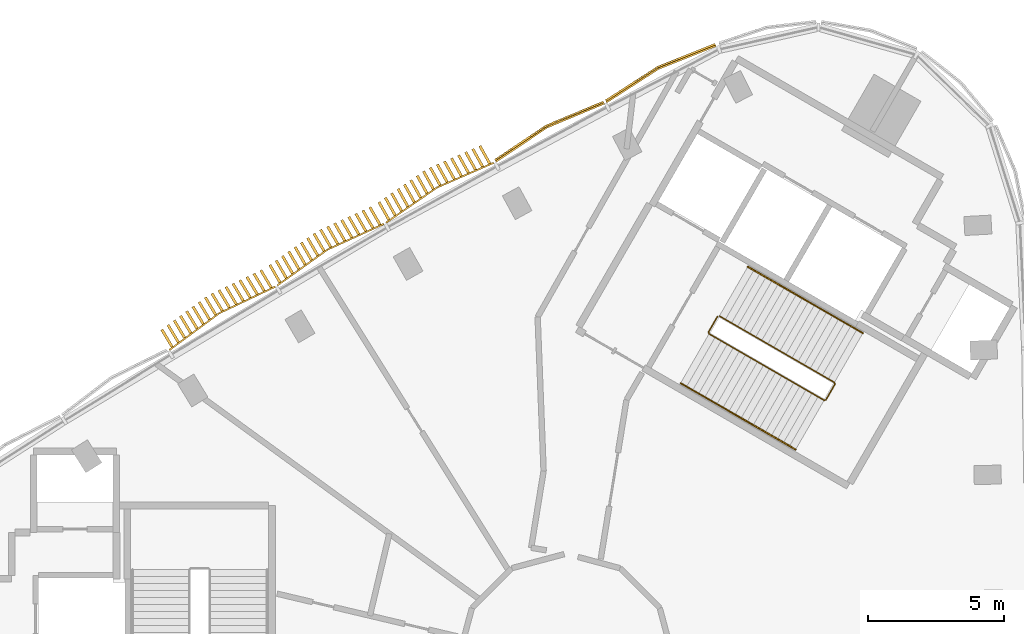
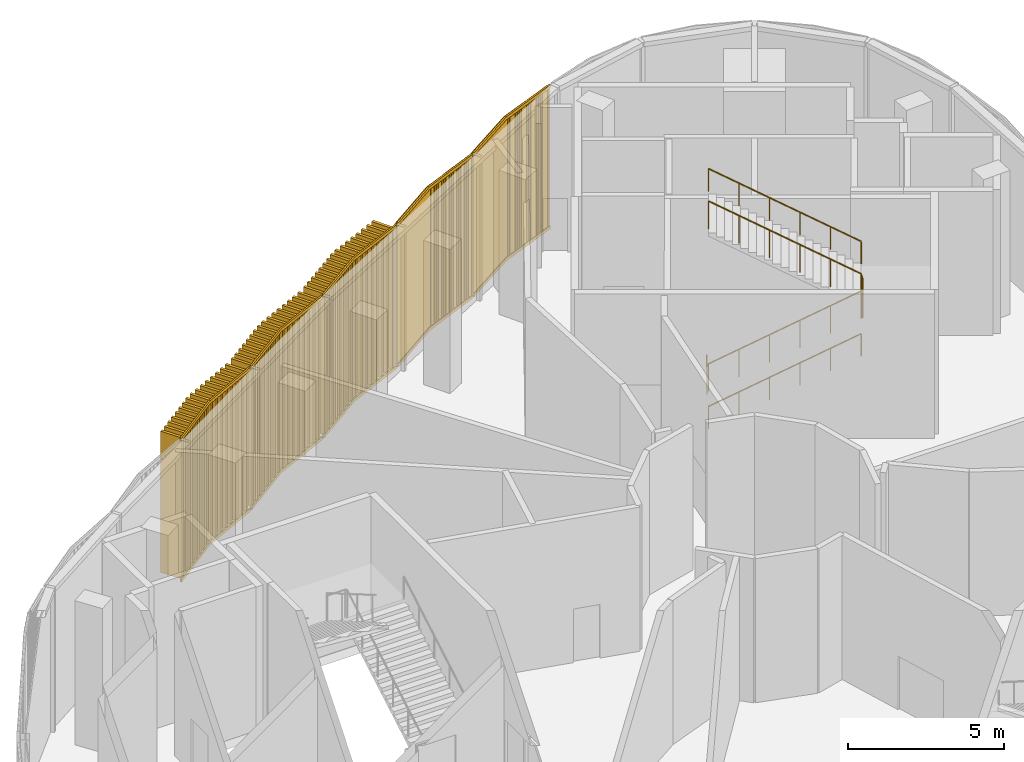
# One storey, part 10 of 11: 5 coverings, 3 railings.
"""IFC4 building model written with IfcOpenShell, lengths in metres."""

from ifc_helpers import new_model, si_unit, direction, frame, frame_2d, origin, origin_2d, place, context, subcontext, project, spatial, rectangle, circle, extrude, source, transform, mapped, material, type_object, element, save


model = new_model("IFC4")

# Units and contexts
model_context = context("Model", 3, precision=1e-05, world=origin(), true_north=direction((0.0, 1.0)))
body_context = subcontext(model_context, "Body", "Model", "MODEL_VIEW")
ifc_project = project(units=[si_unit("LENGTHUNIT", "METRE"), si_unit("AREAUNIT", "SQUARE_METRE"), si_unit("VOLUMEUNIT", "CUBIC_METRE"), si_unit("PLANEANGLEUNIT", "RADIAN"), si_unit("MASSUNIT", "GRAM", prefix="KILO")], contexts=[model_context])

# Site, building, storey
site_placement = place(None, origin())
site = spatial("IfcSite", under=ifc_project, at=site_placement, CompositionType="ELEMENT")
building_placement = place(site_placement, origin())
building = spatial("IfcBuilding", under=site, at=building_placement, Name="Tamra Quay Hotel Tower", CompositionType="ELEMENT")
storey_placement = place(building_placement, frame((0.0, 0.0, 306.60009765625)))
storey = spatial("IfcBuildingStorey", under=building, at=storey_placement, Name="L77", CompositionType="ELEMENT", Elevation=306.60009765625)

# Railings
ifc_material_1 = material(Name="Stair guard 1100")
railing_type_1 = type_object("IfcRailingType", Name="Stair guard 1100", PredefinedType="GUARDRAIL", material=ifc_material_1)
railing_1_placement = place(storey_placement, frame((5.595458984375, 12.751953125, 0.0)))
element("IfcRailing", 1, at=railing_1_placement, inside=storey, type_object=railing_type_1, Name="GR", PredefinedType="GUARDRAIL", context=body_context, shape_type="SweptSolid", body=[
    extrude(circle(Radius=0.02392578125, at=origin_2d()), frame((0.0, 0.0, 1.076171875), z_axis=(-0.499765215335, -0.866160914346, 0.0), x_axis=(0.866160914346, -0.499765215335, 0.0)), (0.0, 0.0, 1.0), 0.658935546875),
    extrude(circle(Radius=0.02392578125, at=origin_2d()), frame((-0.329345703125, -0.57080078125, 1.076171875), z_axis=(0.110525977783, -0.411156637351, 0.904839338113), x_axis=(0.965715946433, 0.259601060869, 0.0)), (0.0, 0.0, 1.0), 0.165771484375),
    extrude(circle(Radius=0.02392578125, at=origin_2d()), frame((-0.31103515625, -0.638916015625, 1.22607421875), z_axis=(0.748658094895, -0.432282451849, 0.502635990327), x_axis=(0.500038605048, 0.866003114002, 0.0)), (0.0, 0.0, 1.0), 5.67041015625),
    extrude(circle(Radius=0.02392578125, at=origin_2d()), frame((3.93408203125, -3.090087890625, 4.076171875), z_axis=(0.965948051503, 0.258736085224, 0.0), x_axis=(-0.258736085224, 0.965948051503, 0.0)), (0.0, 0.0, 1.0), 0.07080078125),
    extrude(circle(Radius=0.02392578125, at=origin_2d()), frame((4.00244140625, -3.07177734375, 4.076171875), z_axis=(0.500043078269, 0.866000531106, 0.0), x_axis=(-0.866000531106, 0.500043078269, 0.0)), (0.0, 0.0, 1.0), 0.6591796875),
    extrude(circle(Radius=0.02392578125, at=origin_2d()), frame((4.33203125, -2.5009765625, 4.076171875), z_axis=(-0.110458949641, 0.41238007866, 0.904290601062), x_axis=(-0.965948051503, -0.258736085224, 0.0)), (0.0, 0.0, 1.0), 0.165771484375),
    extrude(circle(Radius=0.02392578125, at=origin_2d()), frame((4.313720703125, -2.4326171875, 4.22607421875), z_axis=(-0.748690951022, 0.432233507235, 0.50262914269), x_axis=(-0.499979686254, -0.866037131614, 0.0)), (0.0, 0.0, 1.0), 5.67041015625),
    extrude(circle(Radius=0.02099609375, at=origin_2d()), origin(), (0.0, 0.0, 1.0), 1.052001953125),
    extrude(circle(Radius=0.02099609375, at=origin_2d()), frame((-0.329345703125, -0.57080078125, 0.0)), (0.0, 0.0, 1.0), 1.052001953125),
    extrude(circle(Radius=0.02099609375, at=origin_2d()), frame((-0.31103515625, -0.638916015625, 0.14990234375)), (0.0, 0.0, 1.0), 1.052001953125),
    extrude(circle(Radius=0.02099609375, at=origin_2d()), frame((0.5380859375, -1.129150390625, 0.719970703125)), (0.0, 0.0, 1.0), 1.052001953125),
    extrude(circle(Radius=0.02099609375, at=origin_2d()), frame((1.386962890625, -1.619384765625, 1.2900390625)), (0.0, 0.0, 1.0), 1.052001953125),
    extrude(circle(Radius=0.02099609375, at=origin_2d()), frame((2.236083984375, -2.109619140625, 1.85986328125)), (0.0, 0.0, 1.0), 1.052001953125),
    extrude(circle(Radius=0.02099609375, at=origin_2d()), frame((3.0849609375, -2.599853515625, 2.429931640625)), (0.0, 0.0, 1.0), 1.052001953125),
    extrude(circle(Radius=0.02099609375, at=origin_2d()), frame((3.93408203125, -3.090087890625, 3.0)), (0.0, 0.0, 1.0), 1.052001953125),
    extrude(circle(Radius=0.02099609375, at=origin_2d()), frame((4.00244140625, -3.07177734375, 3.0)), (0.0, 0.0, 1.0), 1.052001953125),
    extrude(circle(Radius=0.02099609375, at=origin_2d()), frame((4.33203125, -2.5009765625, 3.0)), (0.0, 0.0, 1.0), 1.052001953125),
    extrude(circle(Radius=0.02099609375, at=origin_2d()), frame((4.313720703125, -2.4326171875, 3.14990234375)), (0.0, 0.0, 1.0), 1.052001953125),
    extrude(circle(Radius=0.02099609375, at=origin_2d()), frame((3.464599609375, -1.9423828125, 3.719970703125)), (0.0, 0.0, 1.0), 1.052001953125),
    extrude(circle(Radius=0.02099609375, at=origin_2d()), frame((2.615478515625, -1.4521484375, 4.2900390625)), (0.0, 0.0, 1.0), 1.052001953125),
    extrude(circle(Radius=0.02099609375, at=origin_2d()), frame((1.7666015625, -0.962158203125, 4.85986328125)), (0.0, 0.0, 1.0), 1.052001953125),
    extrude(circle(Radius=0.02099609375, at=origin_2d()), frame((0.91748046875, -0.471923828125, 5.429931640625)), (0.0, 0.0, 1.0), 1.052001953125),
    extrude(circle(Radius=0.02099609375, at=origin_2d()), frame((0.068359375, 0.018310546875, 6.0)), (0.0, 0.0, 1.0), 1.052001953125),
])
ifc_material_2 = material(Name="Stair handrail 900")
railing_type_2 = type_object("IfcRailingType", Name="Stair handrail 900", PredefinedType="HANDRAIL", material=ifc_material_2)
railing_2_placement = place(storey_placement, frame((4.234375, 10.294189453125, 0.14990234375)))
element("IfcRailing", 2, at=railing_2_placement, inside=storey, type_object=railing_type_2, Name="HR", PredefinedType="HANDRAIL", context=body_context, shape_type="SweptSolid", body=[
    extrude(circle(Radius=0.02392578125, at=origin_2d()), frame((0.0, 0.0, 0.8759765625), z_axis=(0.748672028886, -0.432247440648, 0.502645345365), x_axis=(0.500001252094, 0.866024680886, 0.0)), (0.0, 0.0, 1.0), 5.670166015625),
    extrude(circle(Radius=0.02099609375, at=origin_2d()), origin(), (0.0, 0.0, 1.0), 0.851806640625),
    extrude(circle(Radius=0.02099609375, at=origin_2d()), frame((0.84912109375, -0.490234375, 0.570068359375)), (0.0, 0.0, 1.0), 0.851806640625),
    extrude(circle(Radius=0.02099609375, at=origin_2d()), frame((1.697998046875, -0.98046875, 1.14013671875)), (0.0, 0.0, 1.0), 0.851806640625),
    extrude(circle(Radius=0.02099609375, at=origin_2d()), frame((2.547119140625, -1.470458984375, 1.7099609375)), (0.0, 0.0, 1.0), 0.851806640625),
    extrude(circle(Radius=0.02099609375, at=origin_2d()), frame((3.39599609375, -1.960693359375, 2.280029296875)), (0.0, 0.0, 1.0), 0.851806640625),
    extrude(circle(Radius=0.02099609375, at=origin_2d()), frame((4.2451171875, -2.450927734375, 2.85009765625)), (0.0, 0.0, 1.0), 0.851806640625),
])
railing_3_placement = place(storey_placement, frame((10.958984375, 12.137939453125, 3.14990234375)))
element("IfcRailing", 3, at=railing_3_placement, inside=storey, type_object=railing_type_2, Name="HR", PredefinedType="HANDRAIL", context=body_context, shape_type="SweptSolid", body=[
    extrude(circle(Radius=0.02392578125, at=origin_2d()), frame((0.0, 0.0, 0.8759765625), z_axis=(-0.748672028886, 0.432247440648, 0.502645345365), x_axis=(-0.500001252094, -0.866024680886, 0.0)), (0.0, 0.0, 1.0), 5.670166015625),
    extrude(circle(Radius=0.02099609375, at=origin_2d()), origin(), (0.0, 0.0, 1.0), 0.851806640625),
    extrude(circle(Radius=0.02099609375, at=origin_2d()), frame((-0.84912109375, 0.490234375, 0.570068359375)), (0.0, 0.0, 1.0), 0.851806640625),
    extrude(circle(Radius=0.02099609375, at=origin_2d()), frame((-1.697998046875, 0.98046875, 1.14013671875)), (0.0, 0.0, 1.0), 0.851806640625),
    extrude(circle(Radius=0.02099609375, at=origin_2d()), frame((-2.547119140625, 1.470458984375, 1.7099609375)), (0.0, 0.0, 1.0), 0.851806640625),
    extrude(circle(Radius=0.02099609375, at=origin_2d()), frame((-3.39599609375, 1.960693359375, 2.280029296875)), (0.0, 0.0, 1.0), 0.851806640625),
    extrude(circle(Radius=0.02099609375, at=origin_2d()), frame((-4.2451171875, 2.450927734375, 2.85009765625)), (0.0, 0.0, 1.0), 0.851806640625),
])

# Coverings
ifc_material_3 = material(Name="Terracotta baguette extruded", Category="masonry")
covering_type_1 = type_object("IfcCoveringType", Name="BAGUETTE SCREEN NW-SHALLOW H5650", PredefinedType="USERDEFINED", material=ifc_material_3)
shared_shape_1 = source(origin(), body_context, "Body", "SweptSolid", [
    extrude(rectangle(XDim=2.282958984375, YDim=0.06005859375, at=frame_2d((1.1416015625, 0.030029296875))), frame((-2.2783203125, -0.0576171875, -0.1201171875), z_axis=(0.0, 0.0, 1.0), x_axis=(0.995396198367, -0.09584575252, 0.0)), (0.0, 0.0, 1.0), 0.1201171875),
    extrude(rectangle(XDim=2.282958984375, YDim=0.06005859375, at=frame_2d((1.1416015625, 0.030029296875))), frame((-2.2783203125, -0.0576171875, -5.64990234375), z_axis=(0.0, 0.0, 1.0), x_axis=(0.995396198367, -0.09584575252, 0.0)), (0.0, 0.0, 1.0), 0.1201171875),
    extrude(rectangle(XDim=0.094970703125, YDim=0.10009765625, at=frame_2d((0.04736328125, 0.050048828125))), frame((-2.2705078125, -0.1328125, -5.590087890625)), (0.0, 0.0, 1.0), 5.530029296875),
    extrude(rectangle(XDim=0.094970703125, YDim=0.10009765625, at=frame_2d((0.04736328125, 0.050048828125))), frame((-2.171875, -0.142333984375, -5.590087890625)), (0.0, 0.0, 1.0), 5.530029296875),
    extrude(rectangle(XDim=0.094970703125, YDim=0.10009765625, at=frame_2d((0.04736328125, 0.050048828125))), frame((-2.072998046875, -0.15185546875, -5.590087890625)), (0.0, 0.0, 1.0), 5.530029296875),
    extrude(rectangle(XDim=0.094970703125, YDim=0.10009765625, at=frame_2d((0.04736328125, 0.050048828125))), frame((-1.97412109375, -0.161376953125, -5.590087890625)), (0.0, 0.0, 1.0), 5.530029296875),
    extrude(rectangle(XDim=0.094970703125, YDim=0.10009765625, at=frame_2d((0.04736328125, 0.050048828125))), frame((-1.87548828125, -0.1708984375, -5.590087890625)), (0.0, 0.0, 1.0), 5.530029296875),
    extrude(rectangle(XDim=0.094970703125, YDim=0.10009765625, at=frame_2d((0.04736328125, 0.050048828125))), frame((-1.776611328125, -0.180419921875, -5.590087890625)), (0.0, 0.0, 1.0), 5.530029296875),
    extrude(rectangle(XDim=0.094970703125, YDim=0.10009765625, at=frame_2d((0.04736328125, 0.050048828125))), frame((-1.677734375, -0.18994140625, -5.590087890625)), (0.0, 0.0, 1.0), 5.530029296875),
    extrude(rectangle(XDim=0.094970703125, YDim=0.10009765625, at=frame_2d((0.04736328125, 0.050048828125))), frame((-1.578857421875, -0.199462890625, -5.590087890625)), (0.0, 0.0, 1.0), 5.530029296875),
    extrude(rectangle(XDim=0.094970703125, YDim=0.10009765625, at=frame_2d((0.04736328125, 0.050048828125))), frame((-1.480224609375, -0.208984375, -5.590087890625)), (0.0, 0.0, 1.0), 5.530029296875),
    extrude(rectangle(XDim=0.094970703125, YDim=0.10009765625, at=frame_2d((0.04736328125, 0.050048828125))), frame((-1.38134765625, -0.21826171875, -5.590087890625)), (0.0, 0.0, 1.0), 5.530029296875),
    extrude(rectangle(XDim=0.094970703125, YDim=0.10009765625, at=frame_2d((0.04736328125, 0.050048828125))), frame((-1.282470703125, -0.227783203125, -5.590087890625)), (0.0, 0.0, 1.0), 5.530029296875),
    extrude(rectangle(XDim=0.094970703125, YDim=0.10009765625, at=frame_2d((0.04736328125, 0.050048828125))), frame((-1.183837890625, -0.2373046875, -5.590087890625)), (0.0, 0.0, 1.0), 5.530029296875),
    extrude(rectangle(XDim=0.094970703125, YDim=0.10009765625, at=frame_2d((0.04736328125, 0.050048828125))), frame((-1.0849609375, -0.246826171875, -5.590087890625)), (0.0, 0.0, 1.0), 5.530029296875),
    extrude(rectangle(XDim=0.094970703125, YDim=0.10009765625, at=frame_2d((0.04736328125, 0.050048828125))), frame((-0.986083984375, -0.25634765625, -5.590087890625)), (0.0, 0.0, 1.0), 5.530029296875),
    extrude(rectangle(XDim=0.094970703125, YDim=0.10009765625, at=frame_2d((0.04736328125, 0.050048828125))), frame((-0.887451171875, -0.265869140625, -5.590087890625)), (0.0, 0.0, 1.0), 5.530029296875),
    extrude(rectangle(XDim=0.094970703125, YDim=0.10009765625, at=frame_2d((0.04736328125, 0.050048828125))), frame((-0.78857421875, -0.275390625, -5.590087890625)), (0.0, 0.0, 1.0), 5.530029296875),
    extrude(rectangle(XDim=0.094970703125, YDim=0.10009765625, at=frame_2d((0.04736328125, 0.050048828125))), frame((-0.689697265625, -0.284912109375, -5.590087890625)), (0.0, 0.0, 1.0), 5.530029296875),
    extrude(rectangle(XDim=0.094970703125, YDim=0.10009765625, at=frame_2d((0.04736328125, 0.050048828125))), frame((-0.5908203125, -0.29443359375, -5.590087890625)), (0.0, 0.0, 1.0), 5.530029296875),
    extrude(rectangle(XDim=0.094970703125, YDim=0.10009765625, at=frame_2d((0.04736328125, 0.050048828125))), frame((-0.4921875, -0.303955078125, -5.590087890625)), (0.0, 0.0, 1.0), 5.530029296875),
    extrude(rectangle(XDim=0.094970703125, YDim=0.10009765625, at=frame_2d((0.04736328125, 0.050048828125))), frame((-0.393310546875, -0.3134765625, -5.590087890625)), (0.0, 0.0, 1.0), 5.530029296875),
    extrude(rectangle(XDim=0.094970703125, YDim=0.10009765625, at=frame_2d((0.04736328125, 0.050048828125))), frame((-0.29443359375, -0.322998046875, -5.590087890625)), (0.0, 0.0, 1.0), 5.530029296875),
    extrude(rectangle(XDim=0.094970703125, YDim=0.10009765625, at=frame_2d((0.04736328125, 0.050048828125))), frame((-0.19580078125, -0.33251953125, -5.590087890625)), (0.0, 0.0, 1.0), 5.530029296875),
    extrude(rectangle(XDim=0.094970703125, YDim=0.10009765625, at=frame_2d((0.04736328125, 0.050048828125))), frame((-0.096923828125, -0.342041015625, -5.590087890625)), (0.0, 0.0, 1.0), 5.530029296875),
    extrude(rectangle(XDim=2.282958984375, YDim=0.06005859375, at=frame_2d((1.1416015625, 0.030029296875))), frame((0.005859375, -0.276611328125, -0.1201171875), z_axis=(0.0, 0.0, 1.0), x_axis=(0.995396198367, 0.09584575252, 0.0)), (0.0, 0.0, 1.0), 0.1201171875),
    extrude(rectangle(XDim=2.282958984375, YDim=0.06005859375, at=frame_2d((1.1416015625, 0.030029296875))), frame((0.005859375, -0.276611328125, -5.64990234375), z_axis=(0.0, 0.0, 1.0), x_axis=(0.995396198367, 0.09584575252, 0.0)), (0.0, 0.0, 1.0), 0.1201171875),
    extrude(rectangle(XDim=0.094970703125, YDim=0.10009765625, at=frame_2d((0.04736328125, 0.050048828125))), frame((0.001953125, -0.342041015625, -5.590087890625)), (0.0, 0.0, 1.0), 5.530029296875),
    extrude(rectangle(XDim=0.094970703125, YDim=0.10009765625, at=frame_2d((0.04736328125, 0.050048828125))), frame((0.100830078125, -0.33251953125, -5.590087890625)), (0.0, 0.0, 1.0), 5.530029296875),
    extrude(rectangle(XDim=0.094970703125, YDim=0.10009765625, at=frame_2d((0.04736328125, 0.050048828125))), frame((0.199462890625, -0.322998046875, -5.590087890625)), (0.0, 0.0, 1.0), 5.530029296875),
    extrude(rectangle(XDim=0.094970703125, YDim=0.10009765625, at=frame_2d((0.04736328125, 0.050048828125))), frame((0.29833984375, -0.3134765625, -5.590087890625)), (0.0, 0.0, 1.0), 5.530029296875),
    extrude(rectangle(XDim=0.094970703125, YDim=0.10009765625, at=frame_2d((0.04736328125, 0.050048828125))), frame((0.397216796875, -0.303955078125, -5.590087890625)), (0.0, 0.0, 1.0), 5.530029296875),
    extrude(rectangle(XDim=0.094970703125, YDim=0.10009765625, at=frame_2d((0.04736328125, 0.050048828125))), frame((0.495849609375, -0.29443359375, -5.590087890625)), (0.0, 0.0, 1.0), 5.530029296875),
    extrude(rectangle(XDim=0.094970703125, YDim=0.10009765625, at=frame_2d((0.04736328125, 0.050048828125))), frame((0.5947265625, -0.284912109375, -5.590087890625)), (0.0, 0.0, 1.0), 5.530029296875),
    extrude(rectangle(XDim=0.094970703125, YDim=0.10009765625, at=frame_2d((0.04736328125, 0.050048828125))), frame((0.693603515625, -0.275390625, -5.590087890625)), (0.0, 0.0, 1.0), 5.530029296875),
    extrude(rectangle(XDim=0.094970703125, YDim=0.10009765625, at=frame_2d((0.04736328125, 0.050048828125))), frame((0.792236328125, -0.265869140625, -5.590087890625)), (0.0, 0.0, 1.0), 5.530029296875),
    extrude(rectangle(XDim=0.094970703125, YDim=0.10009765625, at=frame_2d((0.04736328125, 0.050048828125))), frame((0.89111328125, -0.25634765625, -5.590087890625)), (0.0, 0.0, 1.0), 5.530029296875),
    extrude(rectangle(XDim=0.094970703125, YDim=0.10009765625, at=frame_2d((0.04736328125, 0.050048828125))), frame((0.989990234375, -0.246826171875, -5.590087890625)), (0.0, 0.0, 1.0), 5.530029296875),
    extrude(rectangle(XDim=0.094970703125, YDim=0.10009765625, at=frame_2d((0.04736328125, 0.050048828125))), frame((1.0888671875, -0.2373046875, -5.590087890625)), (0.0, 0.0, 1.0), 5.530029296875),
    extrude(rectangle(XDim=0.094970703125, YDim=0.10009765625, at=frame_2d((0.04736328125, 0.050048828125))), frame((1.1875, -0.227783203125, -5.590087890625)), (0.0, 0.0, 1.0), 5.530029296875),
    extrude(rectangle(XDim=0.094970703125, YDim=0.10009765625, at=frame_2d((0.04736328125, 0.050048828125))), frame((1.286376953125, -0.21826171875, -5.590087890625)), (0.0, 0.0, 1.0), 5.530029296875),
    extrude(rectangle(XDim=0.094970703125, YDim=0.10009765625, at=frame_2d((0.04736328125, 0.050048828125))), frame((1.38525390625, -0.208984375, -5.590087890625)), (0.0, 0.0, 1.0), 5.530029296875),
    extrude(rectangle(XDim=0.094970703125, YDim=0.10009765625, at=frame_2d((0.04736328125, 0.050048828125))), frame((1.48388671875, -0.199462890625, -5.590087890625)), (0.0, 0.0, 1.0), 5.530029296875),
    extrude(rectangle(XDim=0.094970703125, YDim=0.10009765625, at=frame_2d((0.04736328125, 0.050048828125))), frame((1.582763671875, -0.18994140625, -5.590087890625)), (0.0, 0.0, 1.0), 5.530029296875),
    extrude(rectangle(XDim=0.094970703125, YDim=0.10009765625, at=frame_2d((0.04736328125, 0.050048828125))), frame((1.681640625, -0.180419921875, -5.590087890625)), (0.0, 0.0, 1.0), 5.530029296875),
    extrude(rectangle(XDim=0.094970703125, YDim=0.10009765625, at=frame_2d((0.04736328125, 0.050048828125))), frame((1.7802734375, -0.1708984375, -5.590087890625)), (0.0, 0.0, 1.0), 5.530029296875),
    extrude(rectangle(XDim=0.094970703125, YDim=0.10009765625, at=frame_2d((0.04736328125, 0.050048828125))), frame((1.879150390625, -0.161376953125, -5.590087890625)), (0.0, 0.0, 1.0), 5.530029296875),
    extrude(rectangle(XDim=0.094970703125, YDim=0.10009765625, at=frame_2d((0.04736328125, 0.050048828125))), frame((1.97802734375, -0.15185546875, -5.590087890625)), (0.0, 0.0, 1.0), 5.530029296875),
    extrude(rectangle(XDim=0.094970703125, YDim=0.10009765625, at=frame_2d((0.04736328125, 0.050048828125))), frame((2.076904296875, -0.142333984375, -5.590087890625)), (0.0, 0.0, 1.0), 5.530029296875),
    extrude(rectangle(XDim=0.094970703125, YDim=0.10009765625, at=frame_2d((0.04736328125, 0.050048828125))), frame((2.175537109375, -0.1328125, -5.590087890625)), (0.0, 0.0, 1.0), 5.530029296875),
])
for number, where, z_axis, x_axis, name in (
    (4, (3.53076171875, 21.67578125, 5.64990234375), (0.0, 0.0, 1.0), (-0.888486255245, -0.458903229712, 0.0), "Baguette screen L77.NW.f00"),
    (5, (-0.5693359375, 19.517333984375, 5.64990234375), (0.0, 0.0, 1.0), (-0.881223564868, -0.472699723631, 0.0), "Baguette screen L77.NW.f01"),
):
    element("IfcCovering", number, at=place(storey_placement, frame(where, z_axis=z_axis, x_axis=x_axis)), inside=storey, type_object=covering_type_1, Name=name, ObjectType="BAGUETTE SCREEN", PredefinedType="USERDEFINED", context=body_context, shape_type="MappedRepresentation", body=[
        mapped(shared_shape_1, transform((0.0, 0.0, 0.0), scale=1.0)),
    ])
covering_type_2 = type_object("IfcCoveringType", Name="BAGUETTE SCREEN NW-DEEP H5650", PredefinedType="USERDEFINED", material=ifc_material_3)
shared_shape_2 = source(origin(), body_context, "Body", "SweptSolid", [
    extrude(rectangle(XDim=2.282958984375, YDim=0.06005859375, at=frame_2d((1.1416015625, 0.030029296875))), frame((-2.2783203125, -0.0576171875, -0.1201171875), z_axis=(0.0, 0.0, 1.0), x_axis=(0.995396198367, -0.09584575252, 0.0)), (0.0, 0.0, 1.0), 0.1201171875),
    extrude(rectangle(XDim=2.282958984375, YDim=0.06005859375, at=frame_2d((1.1416015625, 0.030029296875))), frame((-2.2783203125, -0.0576171875, -5.64990234375), z_axis=(0.0, 0.0, 1.0), x_axis=(0.995396198367, -0.09584575252, 0.0)), (0.0, 0.0, 1.0), 0.1201171875),
    extrude(rectangle(XDim=0.10009765625, YDim=0.780029296875, at=frame_2d((0.050048828125, 0.39013671875))), frame((-2.180419921875, -0.82177734375, -5.590087890625)), (0.0, 0.0, 1.0), 5.530029296875),
    extrude(rectangle(XDim=0.10009765625, YDim=0.780029296875, at=frame_2d((0.050048828125, 0.39013671875))), frame((-1.896484375, -0.84912109375, -5.590087890625)), (0.0, 0.0, 1.0), 5.530029296875),
    extrude(rectangle(XDim=0.10009765625, YDim=0.780029296875, at=frame_2d((0.050048828125, 0.39013671875))), frame((-1.6123046875, -0.87646484375, -5.590087890625)), (0.0, 0.0, 1.0), 5.530029296875),
    extrude(rectangle(XDim=0.10009765625, YDim=0.780029296875, at=frame_2d((0.050048828125, 0.39013671875))), frame((-1.328369140625, -0.90380859375, -5.590087890625)), (0.0, 0.0, 1.0), 5.530029296875),
    extrude(rectangle(XDim=0.10009765625, YDim=0.780029296875, at=frame_2d((0.050048828125, 0.39013671875))), frame((-1.044189453125, -0.93115234375, -5.590087890625)), (0.0, 0.0, 1.0), 5.530029296875),
    extrude(rectangle(XDim=0.10009765625, YDim=0.780029296875, at=frame_2d((0.050048828125, 0.39013671875))), frame((-0.76025390625, -0.95849609375, -5.590087890625)), (0.0, 0.0, 1.0), 5.530029296875),
    extrude(rectangle(XDim=0.10009765625, YDim=0.780029296875, at=frame_2d((0.050048828125, 0.39013671875))), frame((-0.47607421875, -0.98583984375, -5.590087890625)), (0.0, 0.0, 1.0), 5.530029296875),
    extrude(rectangle(XDim=0.10009765625, YDim=0.780029296875, at=frame_2d((0.050048828125, 0.39013671875))), frame((-0.192138671875, -1.01318359375, -5.590087890625)), (0.0, 0.0, 1.0), 5.530029296875),
    extrude(rectangle(XDim=2.282958984375, YDim=0.06005859375, at=frame_2d((1.1416015625, 0.030029296875))), frame((0.005859375, -0.276611328125, -0.1201171875), z_axis=(0.0, 0.0, 1.0), x_axis=(0.995396198367, 0.09584575252, 0.0)), (0.0, 0.0, 1.0), 0.1201171875),
    extrude(rectangle(XDim=2.282958984375, YDim=0.06005859375, at=frame_2d((1.1416015625, 0.030029296875))), frame((0.005859375, -0.276611328125, -5.64990234375), z_axis=(0.0, 0.0, 1.0), x_axis=(0.995396198367, 0.09584575252, 0.0)), (0.0, 0.0, 1.0), 0.1201171875),
    extrude(rectangle(XDim=0.10009765625, YDim=0.780029296875, at=frame_2d((0.050048828125, 0.39013671875))), frame((0.092041015625, -1.01318359375, -5.590087890625)), (0.0, 0.0, 1.0), 5.530029296875),
    extrude(rectangle(XDim=0.10009765625, YDim=0.780029296875, at=frame_2d((0.050048828125, 0.39013671875))), frame((0.3759765625, -0.98583984375, -5.590087890625)), (0.0, 0.0, 1.0), 5.530029296875),
    extrude(rectangle(XDim=0.10009765625, YDim=0.780029296875, at=frame_2d((0.050048828125, 0.39013671875))), frame((0.66015625, -0.95849609375, -5.590087890625)), (0.0, 0.0, 1.0), 5.530029296875),
    extrude(rectangle(XDim=0.10009765625, YDim=0.780029296875, at=frame_2d((0.050048828125, 0.39013671875))), frame((0.9443359375, -0.93115234375, -5.590087890625)), (0.0, 0.0, 1.0), 5.530029296875),
    extrude(rectangle(XDim=0.10009765625, YDim=0.780029296875, at=frame_2d((0.050048828125, 0.39013671875))), frame((1.228271484375, -0.90380859375, -5.590087890625)), (0.0, 0.0, 1.0), 5.530029296875),
    extrude(rectangle(XDim=0.10009765625, YDim=0.780029296875, at=frame_2d((0.050048828125, 0.39013671875))), frame((1.512451171875, -0.87646484375, -5.590087890625)), (0.0, 0.0, 1.0), 5.530029296875),
    extrude(rectangle(XDim=0.10009765625, YDim=0.780029296875, at=frame_2d((0.050048828125, 0.39013671875))), frame((1.79638671875, -0.84912109375, -5.590087890625)), (0.0, 0.0, 1.0), 5.530029296875),
    extrude(rectangle(XDim=0.10009765625, YDim=0.780029296875, at=frame_2d((0.050048828125, 0.39013671875))), frame((2.08056640625, -0.82177734375, -5.590087890625)), (0.0, 0.0, 1.0), 5.530029296875),
])
for number, where, z_axis, x_axis, name in (
    (6, (-4.63525390625, 17.29541015625, 5.64990234375), (0.0, 0.0, 1.0), (-0.873735727575, -0.486400944035, 0.0), "Baguette screen L77.NW.f02"),
    (7, (-8.666015625, 15.010009765625, 5.64990234375), (0.0, 0.0, 1.0), (-0.866025403784, -0.5, 0.0), "Baguette screen L77.NW.f03"),
    (8, (-12.66064453125, 12.661865234375, 5.64990234375), (0.0, 0.0, 1.0), (-0.858103437747, -0.513476864257, 0.0), "Baguette screen L77.NW.f04"),
):
    element("IfcCovering", number, at=place(storey_placement, frame(where, z_axis=z_axis, x_axis=x_axis)), inside=storey, type_object=covering_type_2, Name=name, ObjectType="BAGUETTE SCREEN", PredefinedType="USERDEFINED", context=body_context, shape_type="MappedRepresentation", body=[
        mapped(shared_shape_2, transform((0.0, 0.0, 0.0), scale=1.0)),
    ])

save(model, "model.ifc")
